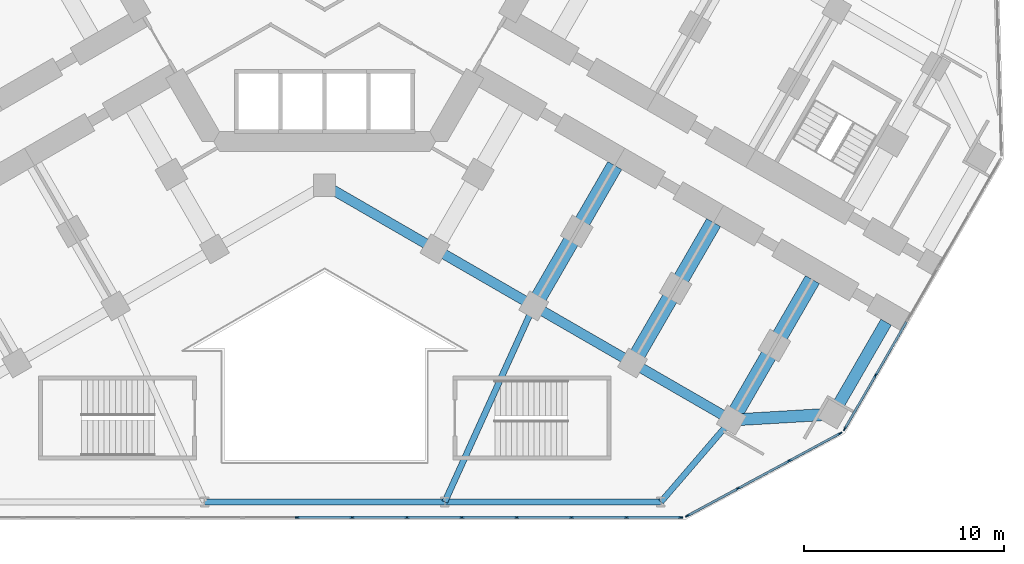
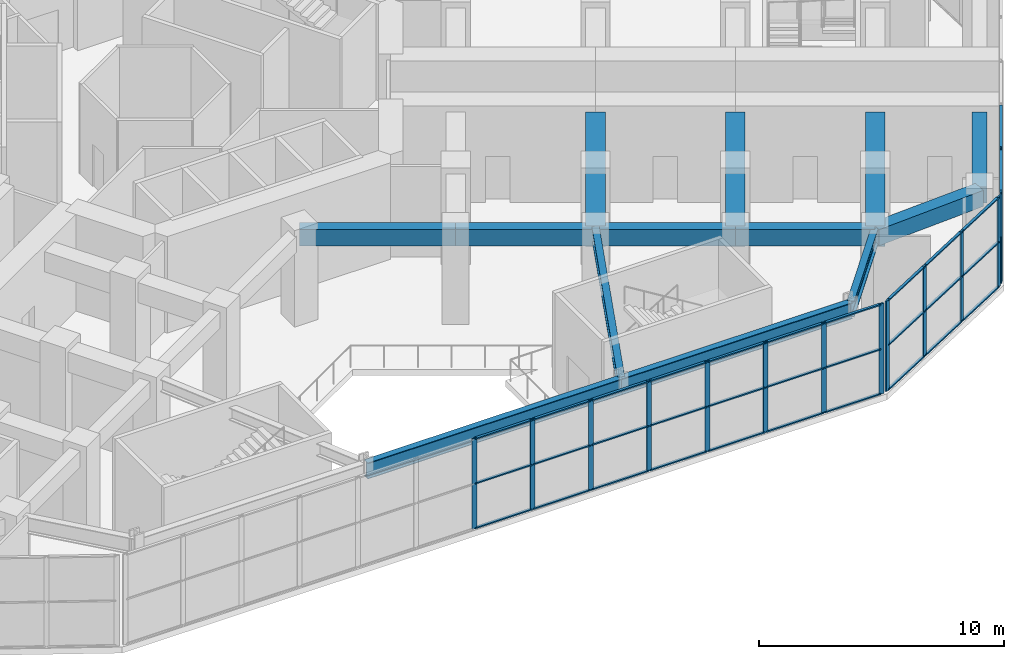
# One storey, part 5 of 22: 50 members, 13 beams, 3 elements without a shape of their own.
"""IFC4 building model written with IfcOpenShell, lengths in metres."""

from ifc_helpers import new_model, si_unit, direction, frame, origin, origin_2d, place, context, subcontext, project, spatial, rectangle, i_section, extrude, material, material_profile, profile_set, type_object, element, aggregate, save


model = new_model("IFC4")

# Units and contexts
model_context = context("Model", 3, precision=1e-05, world=origin(), true_north=direction((0.0, 1.0)))
body_context = subcontext(model_context, "Body", "Model", "MODEL_VIEW")
ifc_project = project(units=[si_unit("LENGTHUNIT", "METRE"), si_unit("AREAUNIT", "SQUARE_METRE"), si_unit("VOLUMEUNIT", "CUBIC_METRE"), si_unit("PLANEANGLEUNIT", "RADIAN"), si_unit("MASSUNIT", "GRAM", prefix="KILO")], contexts=[model_context])

# Site, building, storey
site_placement = place(None, origin())
site = spatial("IfcSite", under=ifc_project, at=site_placement, CompositionType="ELEMENT")
building_placement = place(site_placement, origin())
building = spatial("IfcBuilding", under=site, at=building_placement, Name="Kosmar Iwan School Tower", CompositionType="ELEMENT")
storey_placement = place(building_placement, frame((0.0, 0.0, 10.800048828125)))
storey = spatial("IfcBuildingStorey", under=building, at=storey_placement, Name="L02", CompositionType="ELEMENT", Elevation=10.800048828125)

# Beams
ifc_material_1 = material(Name="Steel S355", Category="steel")
ifc_material_profile_1 = material_profile(ifc_material_1, i_section(OverallWidth=0.300048828125, OverallDepth=0.800048828125, WebThickness=0.017578125, FlangeThickness=0.032958984375, FilletRadius=0.030029296875, at=origin_2d()), Name="HE 800 B")
ifc_profile_set_1 = profile_set([ifc_material_profile_1], Name="Steel S355")
beam_type_1 = type_object("IfcBeamType", Name="Infill edge beam HE 800 B", PredefinedType="BEAM", material=ifc_profile_set_1)
beam_1_placement = place(storey_placement, frame((20.31787109375, -23.508544921875, 4.099853515625), z_axis=(-0.651941989341, -0.758268845816, 0.0), x_axis=(0.758268845816, -0.651941989341, 0.0)))
element("IfcBeam", 1, at=beam_1_placement, inside=storey, type_object=beam_type_1, Name="Infill edge beam BC1", PredefinedType="BEAM", context=body_context, shape_type="SweptSolid", body=[
    extrude(i_section(OverallWidth=0.300048828125, OverallDepth=0.800048828125, WebThickness=0.017578125, FlangeThickness=0.032958984375, FilletRadius=0.030029296875, at=origin_2d()), origin(), (0.0, 0.0, 1.0), 5.39599609375),
])
beam_2_placement = place(storey_placement, frame((16.800048828125, -27.60009765625, 4.099853515625), z_axis=(-1.0, 0.0, 0.0), x_axis=(0.0, -1.0, 0.0)))
element("IfcBeam", 2, at=beam_2_placement, inside=storey, type_object=beam_type_1, Name="Infill edge beam BC2", PredefinedType="BEAM", context=body_context, shape_type="SweptSolid", body=[
    extrude(i_section(OverallWidth=0.300048828125, OverallDepth=0.800048828125, WebThickness=0.017578125, FlangeThickness=0.032958984375, FilletRadius=0.030029296875, at=origin_2d()), origin(), (0.0, 0.0, 1.0), 10.800048828125),
])
beam_3_placement = place(storey_placement, frame((6.0, -27.60009765625, 4.099853515625), z_axis=(-1.0, 0.0, 0.0), x_axis=(0.0, -1.0, 0.0)))
element("IfcBeam", 3, at=beam_3_placement, inside=storey, type_object=beam_type_1, Name="Infill edge beam BC3", PredefinedType="BEAM", context=body_context, shape_type="SweptSolid", body=[
    extrude(i_section(OverallWidth=0.300048828125, OverallDepth=0.800048828125, WebThickness=0.017578125, FlangeThickness=0.032958984375, FilletRadius=0.030029296875, at=origin_2d()), origin(), (0.0, 0.0, 1.0), 12.0),
])
ifc_material_2 = material(Name="Steel S355", Category="steel")
ifc_material_profile_2 = material_profile(ifc_material_2, i_section(OverallWidth=0.304931640625, OverallDepth=0.6201171875, WebThickness=0.02099609375, FlangeThickness=0.0400390625, FilletRadius=0.027099609375, at=origin_2d()), Name="HE 600 M")
ifc_profile_set_2 = profile_set([ifc_material_profile_2], Name="Steel S355")
beam_type_2 = type_object("IfcBeamType", Name="Infill girder HE 600 M", PredefinedType="BEAM", material=ifc_profile_set_2)
beam_4_placement = place(storey_placement, frame((6.0, -27.60009765625, 4.18994140625), z_axis=(0.413361578077, 0.910566969404, 0.0), x_axis=(-0.910566969404, 0.413361578077, 0.0)))
element("IfcBeam", 4, at=beam_4_placement, inside=storey, type_object=beam_type_2, Name="Infill girder BC2", PredefinedType="BEAM", context=body_context, shape_type="SweptSolid", body=[
    extrude(i_section(OverallWidth=0.304931640625, OverallDepth=0.6201171875, WebThickness=0.02099609375, FlangeThickness=0.0400390625, FilletRadius=0.027099609375, at=origin_2d()), origin(), (0.0, 0.0, 1.0), 10.75341796875),
])

# Curtain wall, members
ifc_material_3 = material(Name="Dark glass in black aluminium frame", Category="aluminium")
curtain_wall_type_1 = type_object("IfcCurtainWallType", Name="Podium curtain wall", PredefinedType="USERDEFINED", material=ifc_material_3)
curtain_wall_1_placement = place(storey_placement, origin())
curtain_wall_1 = element("IfcCurtainWall", 5, at=curtain_wall_1_placement, inside=storey, type_object=curtain_wall_type_1, Name="Curtain wall L02-F00", ObjectType="STICK CURTAIN WALL", PredefinedType="USERDEFINED")
ifc_material_4 = material(Name="Black anodised aluminium", Category="aluminium")
ifc_material_profile_3 = material_profile(ifc_material_4, rectangle(XDim=0.06494140625, YDim=0.219970703125, at=origin_2d()), Name="MULLION 65x220")
ifc_profile_set_3 = profile_set([ifc_material_profile_3], Name="Black anodised aluminium")
member_type_1 = type_object("IfcMemberType", Name="Podium mullion 65x220", PredefinedType="MULLION", material=ifc_profile_set_3)
member_1_placement = place(storey_placement, frame((-1.37060546875, -28.375, 0.0), z_axis=(0.0, 0.0, 1.0), x_axis=(0.0, 1.0, 0.0)))
member_1 = element("IfcMember", 6, at=member_1_placement, type_object=member_type_1, Name="CW3 mullion 7", PredefinedType="MULLION", context=body_context, shape_type="SweptSolid", body=[
    extrude(rectangle(XDim=0.06494140625, YDim=0.219970703125, at=origin_2d()), origin(), (0.0, 0.0, 1.0), 4.5),
])
member_2_placement = place(storey_placement, frame((1.37060546875, -28.375, 0.0), z_axis=(0.0, 0.0, 1.0), x_axis=(0.0, 1.0, 0.0)))
member_2 = element("IfcMember", 7, at=member_2_placement, type_object=member_type_1, Name="CW3 mullion 8", PredefinedType="MULLION", context=body_context, shape_type="SweptSolid", body=[
    extrude(rectangle(XDim=0.06494140625, YDim=0.219970703125, at=origin_2d()), origin(), (0.0, 0.0, 1.0), 4.5),
])
member_3_placement = place(storey_placement, frame((4.112060546875, -28.375, 0.0), z_axis=(0.0, 0.0, 1.0), x_axis=(0.0, 1.0, 0.0)))
member_3 = element("IfcMember", 8, at=member_3_placement, type_object=member_type_1, Name="CW3 mullion 9", PredefinedType="MULLION", context=body_context, shape_type="SweptSolid", body=[
    extrude(rectangle(XDim=0.06494140625, YDim=0.219970703125, at=origin_2d()), origin(), (0.0, 0.0, 1.0), 4.5),
])
member_4_placement = place(storey_placement, frame((6.853271484375, -28.375, 0.0), z_axis=(0.0, 0.0, 1.0), x_axis=(0.0, 1.0, 0.0)))
member_4 = element("IfcMember", 9, at=member_4_placement, type_object=member_type_1, Name="CW3 mullion 10", PredefinedType="MULLION", context=body_context, shape_type="SweptSolid", body=[
    extrude(rectangle(XDim=0.06494140625, YDim=0.219970703125, at=origin_2d()), origin(), (0.0, 0.0, 1.0), 4.5),
])
member_5_placement = place(storey_placement, frame((9.594482421875, -28.375, 0.0), z_axis=(0.0, 0.0, 1.0), x_axis=(0.0, 1.0, 0.0)))
member_5 = element("IfcMember", 10, at=member_5_placement, type_object=member_type_1, Name="CW3 mullion 11", PredefinedType="MULLION", context=body_context, shape_type="SweptSolid", body=[
    extrude(rectangle(XDim=0.06494140625, YDim=0.219970703125, at=origin_2d()), origin(), (0.0, 0.0, 1.0), 4.5),
])
member_6_placement = place(storey_placement, frame((12.3359375, -28.375, 0.0), z_axis=(0.0, 0.0, 1.0), x_axis=(0.0, 1.0, 0.0)))
member_6 = element("IfcMember", 11, at=member_6_placement, type_object=member_type_1, Name="CW3 mullion 12", PredefinedType="MULLION", context=body_context, shape_type="SweptSolid", body=[
    extrude(rectangle(XDim=0.06494140625, YDim=0.219970703125, at=origin_2d()), origin(), (0.0, 0.0, 1.0), 4.5),
])
member_7_placement = place(storey_placement, frame((15.0771484375, -28.375, 0.0), z_axis=(0.0, 0.0, 1.0), x_axis=(0.0, 1.0, 0.0)))
member_7 = element("IfcMember", 12, at=member_7_placement, type_object=member_type_1, Name="CW3 mullion 13", PredefinedType="MULLION", context=body_context, shape_type="SweptSolid", body=[
    extrude(rectangle(XDim=0.06494140625, YDim=0.219970703125, at=origin_2d()), origin(), (0.0, 0.0, 1.0), 4.5),
])
member_8_placement = place(storey_placement, frame((17.785888671875, -28.375, 0.0), z_axis=(0.0, 0.0, 1.0), x_axis=(0.0, 1.0, 0.0)))
member_8 = element("IfcMember", 13, at=member_8_placement, type_object=member_type_1, Name="CW3 mullion 14", PredefinedType="MULLION", context=body_context, shape_type="SweptSolid", body=[
    extrude(rectangle(XDim=0.06494140625, YDim=0.219970703125, at=origin_2d()), origin(), (0.0, 0.0, 1.0), 4.5),
])

curtain_wall_2_placement = place(storey_placement, origin())
curtain_wall_2 = element("IfcCurtainWall", 14, at=curtain_wall_2_placement, inside=storey, type_object=curtain_wall_type_1, Name="Curtain wall L02-F01", ObjectType="STICK CURTAIN WALL", PredefinedType="USERDEFINED")
member_9_placement = place(storey_placement, frame((18.12890625, -28.288330078125, 0.0), z_axis=(0.0, 0.0, 1.0), x_axis=(-0.475215410051, 0.879869486941, 0.0)))
member_9 = element("IfcMember", 15, at=member_9_placement, type_object=member_type_1, Name="CW3 mullion 1", PredefinedType="MULLION", context=body_context, shape_type="SweptSolid", body=[
    extrude(rectangle(XDim=0.06494140625, YDim=0.219970703125, at=origin_2d()), origin(), (0.0, 0.0, 1.0), 4.5),
])
member_10_placement = place(storey_placement, frame((20.656005859375, -26.923583984375, 0.0), z_axis=(0.0, 0.0, 1.0), x_axis=(-0.475215410051, 0.879869486941, 0.0)))
member_10 = element("IfcMember", 16, at=member_10_placement, type_object=member_type_1, Name="CW3 mullion 2", PredefinedType="MULLION", context=body_context, shape_type="SweptSolid", body=[
    extrude(rectangle(XDim=0.06494140625, YDim=0.219970703125, at=origin_2d()), origin(), (0.0, 0.0, 1.0), 4.5),
])
member_11_placement = place(storey_placement, frame((23.21142578125, -25.543212890625, 0.0), z_axis=(0.0, 0.0, 1.0), x_axis=(-0.475215410051, 0.879869486941, 0.0)))
member_11 = element("IfcMember", 17, at=member_11_placement, type_object=member_type_1, Name="CW3 mullion 3", PredefinedType="MULLION", context=body_context, shape_type="SweptSolid", body=[
    extrude(rectangle(XDim=0.06494140625, YDim=0.219970703125, at=origin_2d()), origin(), (0.0, 0.0, 1.0), 4.5),
])
member_12_placement = place(storey_placement, frame((25.73828125, -24.178466796875, 0.0), z_axis=(0.0, 0.0, 1.0), x_axis=(-0.475215410051, 0.879869486941, 0.0)))
member_12 = element("IfcMember", 18, at=member_12_placement, type_object=member_type_1, Name="CW3 mullion 4", PredefinedType="MULLION", context=body_context, shape_type="SweptSolid", body=[
    extrude(rectangle(XDim=0.06494140625, YDim=0.219970703125, at=origin_2d()), origin(), (0.0, 0.0, 1.0), 4.5),
])

ifc_material_5 = material(Name="Dark glass in black aluminium frame", Category="aluminium")
curtain_wall_type_2 = type_object("IfcCurtainWallType", Name="Tower curtain wall dark glass", PredefinedType="USERDEFINED", material=ifc_material_5)
curtain_wall_3_placement = place(storey_placement, origin())
curtain_wall_3 = element("IfcCurtainWall", 19, at=curtain_wall_3_placement, inside=storey, type_object=curtain_wall_type_2, Name="Curtain wall L02-F02", ObjectType="UNITISED CURTAIN WALL", PredefinedType="USERDEFINED")
member_13_placement = place(storey_placement, frame((25.990234375, -23.93359375, 0.0), z_axis=(0.0, 0.0, 1.0), x_axis=(-0.866025395669, 0.500000014057, 0.0)))
member_13 = element("IfcMember", 20, at=member_13_placement, type_object=member_type_1, Name="CW1 mullion 1", PredefinedType="MULLION", context=body_context, shape_type="SweptSolid", body=[
    extrude(rectangle(XDim=0.06494140625, YDim=0.219970703125, at=origin_2d()), origin(), (0.0, 0.0, 1.0), 4.5),
])
member_14_placement = place(storey_placement, frame((27.52685546875, -21.272216796875, 0.0), z_axis=(0.0, 0.0, 1.0), x_axis=(-0.866025395669, 0.500000014057, 0.0)))
member_14 = element("IfcMember", 21, at=member_14_placement, type_object=member_type_1, Name="CW1 mullion 2", PredefinedType="MULLION", context=body_context, shape_type="SweptSolid", body=[
    extrude(rectangle(XDim=0.06494140625, YDim=0.219970703125, at=origin_2d()), origin(), (0.0, 0.0, 1.0), 4.5),
])

# Beams
ifc_material_6 = material(Name="Concrete C50/60", Category="concrete")
ifc_material_profile_4 = material_profile(ifc_material_6, rectangle(XDim=0.5, YDim=0.800048828125, at=origin_2d()), Name="RC 500x800")
ifc_profile_set_4 = profile_set([ifc_material_profile_4], Name="Concrete C50/60")
beam_type_3 = type_object("IfcBeamType", Name="RC edge beam 500x800", PredefinedType="BEAM", material=ifc_profile_set_4)
beam_5_placement = place(storey_placement, frame((0.0, -11.77783203125, 4.099853515625), z_axis=(0.866014293216, -0.500019243575, 0.0), x_axis=(0.500019243575, 0.866014293216, 0.0)))
element("IfcBeam", 22, at=beam_5_placement, inside=storey, type_object=beam_type_3, Name="Edge beam CR1", PredefinedType="BEAM", context=body_context, shape_type="SweptSolid", body=[
    extrude(rectangle(XDim=0.5, YDim=0.800048828125, at=origin_2d()), origin(), (0.0, 0.0, 1.0), 6.361083984375),
])
beam_6_placement = place(storey_placement, frame((5.5087890625, -14.95849609375, 4.099853515625), z_axis=(0.866033658841, -0.49998570155, 0.0), x_axis=(0.49998570155, 0.866033658841, 0.0)))
element("IfcBeam", 23, at=beam_6_placement, inside=storey, type_object=beam_type_3, Name="Edge beam CR2", PredefinedType="BEAM", context=body_context, shape_type="SweptSolid", body=[
    extrude(rectangle(XDim=0.5, YDim=0.800048828125, at=origin_2d()), origin(), (0.0, 0.0, 1.0), 5.699951171875),
])
beam_7_placement = place(storey_placement, frame((10.445068359375, -17.808349609375, 4.099853515625), z_axis=(0.866025820012, -0.499999279071, 0.0), x_axis=(0.499999279071, 0.866025820012, 0.0)))
element("IfcBeam", 24, at=beam_7_placement, inside=storey, type_object=beam_type_3, Name="Edge beam CR3", PredefinedType="BEAM", context=body_context, shape_type="SweptSolid", body=[
    extrude(rectangle(XDim=0.5, YDim=0.800048828125, at=origin_2d()), origin(), (0.0, 0.0, 1.0), 5.7001953125),
])
beam_8_placement = place(storey_placement, frame((15.381591796875, -20.658447265625, 4.099853515625), z_axis=(0.866015111908, -0.50001782563, 0.0), x_axis=(0.50001782563, 0.866015111908, 0.0)))
element("IfcBeam", 25, at=beam_8_placement, inside=storey, type_object=beam_type_3, Name="Edge beam CR4", PredefinedType="BEAM", context=body_context, shape_type="SweptSolid", body=[
    extrude(rectangle(XDim=0.5, YDim=0.800048828125, at=origin_2d()), origin(), (0.0, 0.0, 1.0), 5.699951171875),
])
ifc_material_7 = material(Name="Concrete C50/60", Category="concrete")
ifc_material_profile_5 = material_profile(ifc_material_7, rectangle(XDim=0.60009765625, YDim=0.800048828125, at=origin_2d()), Name="RC 600x800")
ifc_profile_set_5 = profile_set([ifc_material_profile_5], Name="Concrete C50/60")
beam_type_4 = type_object("IfcBeamType", Name="RC tip beam 600x800", PredefinedType="BEAM", material=ifc_profile_set_5)
beam_9_placement = place(storey_placement, frame((20.31787109375, -23.508544921875, 4.099853515625), z_axis=(0.998260616478, 0.058955420358, 0.0), x_axis=(-0.058955420358, 0.998260616478, 0.0)))
element("IfcBeam", 26, at=beam_9_placement, inside=storey, type_object=beam_type_4, Name="Tip beam CR", PredefinedType="BEAM", context=body_context, shape_type="SweptSolid", body=[
    extrude(rectangle(XDim=0.60009765625, YDim=0.800048828125, at=origin_2d()), origin(), (0.0, 0.0, 1.0), 5.08935546875),
])
beam_10_placement = place(storey_placement, frame((25.3984375, -23.20849609375, 4.099853515625), z_axis=(0.499993606316, 0.866029095148, 0.0), x_axis=(-0.866029095148, 0.499993606316, 0.0)))
element("IfcBeam", 27, at=beam_10_placement, inside=storey, type_object=beam_type_4, Name="Tip beam CR to corridor wall", PredefinedType="BEAM", context=body_context, shape_type="SweptSolid", body=[
    extrude(rectangle(XDim=0.60009765625, YDim=0.800048828125, at=origin_2d()), origin(), (0.0, 0.0, 1.0), 5.2998046875),
])
ifc_material_8 = material(Name="Concrete C50/60", Category="concrete")
ifc_material_profile_6 = material_profile(ifc_material_8, rectangle(XDim=0.800048828125, YDim=1.0, at=origin_2d()), Name="RC 800x1000")
ifc_profile_set_6 = profile_set([ifc_material_profile_6], Name="Concrete C50/60")
beam_type_5 = type_object("IfcBeamType", Name="RC transverse beam 800x1000", PredefinedType="BEAM", material=ifc_profile_set_6)
beam_11_placement = place(storey_placement, frame((10.445068359375, -17.808349609375, 4.0), z_axis=(0.500012932018, 0.866017937352, 0.0), x_axis=(-0.866017937352, 0.500012932018, 0.0)))
element("IfcBeam", 28, at=beam_11_placement, inside=storey, type_object=beam_type_5, Name="Transverse beam CR2", PredefinedType="BEAM", context=body_context, shape_type="SweptSolid", body=[
    extrude(rectangle(XDim=0.800048828125, YDim=1.0, at=origin_2d()), origin(), (0.0, 0.0, 1.0), 8.099853515625),
])
for number, where, z_axis, x_axis, name in (
    (29, (15.381591796875, -20.658447265625, 4.0), (0.499977274689, 0.866038523851, 0.0), (-0.866038523851, 0.499977274689, 0.0), "Transverse beam CR3"),
    (30, (20.31787109375, -23.508544921875, 4.0), (0.499999880539, 0.866025472755, 0.0), (-0.866025472755, 0.499999880539, 0.0), "Transverse beam CR4"),
):
    element("IfcBeam", number, at=place(storey_placement, frame(where, z_axis=z_axis, x_axis=x_axis)), inside=storey, type_object=beam_type_5, Name=name, PredefinedType="BEAM", context=body_context, shape_type="SweptSolid", body=[
        extrude(rectangle(XDim=0.800048828125, YDim=1.0, at=origin_2d()), origin(), (0.0, 0.0, 1.0), 8.10009765625),
    ])

# Member
ifc_material_9 = material(Name="Black anodised aluminium", Category="aluminium")
ifc_material_profile_7 = material_profile(ifc_material_9, rectangle(XDim=0.1201171875, YDim=0.06005859375, at=origin_2d()), Name="TRANSOM 60x120")
ifc_profile_set_7 = profile_set([ifc_material_profile_7], Name="Black anodised aluminium")
member_type_2 = type_object("IfcMemberType", Name="Transom 60x120", PredefinedType="USERDEFINED", material=ifc_profile_set_7)
member_15_placement = place(storey_placement, frame((-1.338134765625, -28.375, 0.030029296875), z_axis=(1.0, 0.0, 0.0), x_axis=(0.0, 1.0, 0.0)))
member_15 = element("IfcMember", 31, at=member_15_placement, type_object=member_type_2, Name="CW3 transom 7.1", ObjectType="TRANSOM", PredefinedType="USERDEFINED", context=body_context, shape_type="SweptSolid", body=[
    extrude(rectangle(XDim=0.1201171875, YDim=0.06005859375, at=origin_2d()), origin(), (0.0, 0.0, 1.0), 2.67626953125),
])

member_16_placement = place(storey_placement, frame((-1.338134765625, -28.375, 2.25), z_axis=(1.0, 0.0, 0.0), x_axis=(0.0, 1.0, 0.0)))
member_16 = element("IfcMember", 32, at=member_16_placement, type_object=member_type_2, Name="CW3 transom 7.2", ObjectType="TRANSOM", PredefinedType="USERDEFINED", context=body_context, shape_type="SweptSolid", body=[
    extrude(rectangle(XDim=0.1201171875, YDim=0.06005859375, at=origin_2d()), origin(), (0.0, 0.0, 1.0), 2.67626953125),
])

member_17_placement = place(storey_placement, frame((-1.338134765625, -28.375, 4.469970703125), z_axis=(1.0, 0.0, 0.0), x_axis=(0.0, 1.0, 0.0)))
member_17 = element("IfcMember", 33, at=member_17_placement, type_object=member_type_2, Name="CW3 transom 7.3", ObjectType="TRANSOM", PredefinedType="USERDEFINED", context=body_context, shape_type="SweptSolid", body=[
    extrude(rectangle(XDim=0.1201171875, YDim=0.06005859375, at=origin_2d()), origin(), (0.0, 0.0, 1.0), 2.67626953125),
])

member_18_placement = place(storey_placement, frame((1.403076171875, -28.375, 0.030029296875), z_axis=(1.0, 0.0, 0.0), x_axis=(0.0, 1.0, 0.0)))
member_18 = element("IfcMember", 34, at=member_18_placement, type_object=member_type_2, Name="CW3 transom 8.1", ObjectType="TRANSOM", PredefinedType="USERDEFINED", context=body_context, shape_type="SweptSolid", body=[
    extrude(rectangle(XDim=0.1201171875, YDim=0.06005859375, at=origin_2d()), origin(), (0.0, 0.0, 1.0), 2.67626953125),
])

member_19_placement = place(storey_placement, frame((1.403076171875, -28.375, 2.25), z_axis=(1.0, 0.0, 0.0), x_axis=(0.0, 1.0, 0.0)))
member_19 = element("IfcMember", 35, at=member_19_placement, type_object=member_type_2, Name="CW3 transom 8.2", ObjectType="TRANSOM", PredefinedType="USERDEFINED", context=body_context, shape_type="SweptSolid", body=[
    extrude(rectangle(XDim=0.1201171875, YDim=0.06005859375, at=origin_2d()), origin(), (0.0, 0.0, 1.0), 2.67626953125),
])

member_20_placement = place(storey_placement, frame((1.403076171875, -28.375, 4.469970703125), z_axis=(1.0, 0.0, 0.0), x_axis=(0.0, 1.0, 0.0)))
member_20 = element("IfcMember", 36, at=member_20_placement, type_object=member_type_2, Name="CW3 transom 8.3", ObjectType="TRANSOM", PredefinedType="USERDEFINED", context=body_context, shape_type="SweptSolid", body=[
    extrude(rectangle(XDim=0.1201171875, YDim=0.06005859375, at=origin_2d()), origin(), (0.0, 0.0, 1.0), 2.67626953125),
])

member_21_placement = place(storey_placement, frame((4.14453125, -28.375, 0.030029296875), z_axis=(1.0, 0.0, 0.0), x_axis=(0.0, 1.0, 0.0)))
member_21 = element("IfcMember", 37, at=member_21_placement, type_object=member_type_2, Name="CW3 transom 9.1", ObjectType="TRANSOM", PredefinedType="USERDEFINED", context=body_context, shape_type="SweptSolid", body=[
    extrude(rectangle(XDim=0.1201171875, YDim=0.06005859375, at=origin_2d()), origin(), (0.0, 0.0, 1.0), 2.67626953125),
])

member_22_placement = place(storey_placement, frame((4.14453125, -28.375, 2.25), z_axis=(1.0, 0.0, 0.0), x_axis=(0.0, 1.0, 0.0)))
member_22 = element("IfcMember", 38, at=member_22_placement, type_object=member_type_2, Name="CW3 transom 9.2", ObjectType="TRANSOM", PredefinedType="USERDEFINED", context=body_context, shape_type="SweptSolid", body=[
    extrude(rectangle(XDim=0.1201171875, YDim=0.06005859375, at=origin_2d()), origin(), (0.0, 0.0, 1.0), 2.67626953125),
])

member_23_placement = place(storey_placement, frame((4.14453125, -28.375, 4.469970703125), z_axis=(1.0, 0.0, 0.0), x_axis=(0.0, 1.0, 0.0)))
member_23 = element("IfcMember", 39, at=member_23_placement, type_object=member_type_2, Name="CW3 transom 9.3", ObjectType="TRANSOM", PredefinedType="USERDEFINED", context=body_context, shape_type="SweptSolid", body=[
    extrude(rectangle(XDim=0.1201171875, YDim=0.06005859375, at=origin_2d()), origin(), (0.0, 0.0, 1.0), 2.67626953125),
])

member_24_placement = place(storey_placement, frame((6.8857421875, -28.375, 0.030029296875), z_axis=(1.0, 0.0, 0.0), x_axis=(0.0, 1.0, 0.0)))
member_24 = element("IfcMember", 40, at=member_24_placement, type_object=member_type_2, Name="CW3 transom 10.1", ObjectType="TRANSOM", PredefinedType="USERDEFINED", context=body_context, shape_type="SweptSolid", body=[
    extrude(rectangle(XDim=0.1201171875, YDim=0.06005859375, at=origin_2d()), origin(), (0.0, 0.0, 1.0), 2.67626953125),
])

member_25_placement = place(storey_placement, frame((6.8857421875, -28.375, 2.25), z_axis=(1.0, 0.0, 0.0), x_axis=(0.0, 1.0, 0.0)))
member_25 = element("IfcMember", 41, at=member_25_placement, type_object=member_type_2, Name="CW3 transom 10.2", ObjectType="TRANSOM", PredefinedType="USERDEFINED", context=body_context, shape_type="SweptSolid", body=[
    extrude(rectangle(XDim=0.1201171875, YDim=0.06005859375, at=origin_2d()), origin(), (0.0, 0.0, 1.0), 2.67626953125),
])

member_26_placement = place(storey_placement, frame((6.8857421875, -28.375, 4.469970703125), z_axis=(1.0, 0.0, 0.0), x_axis=(0.0, 1.0, 0.0)))
member_26 = element("IfcMember", 42, at=member_26_placement, type_object=member_type_2, Name="CW3 transom 10.3", ObjectType="TRANSOM", PredefinedType="USERDEFINED", context=body_context, shape_type="SweptSolid", body=[
    extrude(rectangle(XDim=0.1201171875, YDim=0.06005859375, at=origin_2d()), origin(), (0.0, 0.0, 1.0), 2.67626953125),
])

member_27_placement = place(storey_placement, frame((9.626953125, -28.375, 0.030029296875), z_axis=(1.0, 0.0, 0.0), x_axis=(0.0, 1.0, 0.0)))
member_27 = element("IfcMember", 43, at=member_27_placement, type_object=member_type_2, Name="CW3 transom 11.1", ObjectType="TRANSOM", PredefinedType="USERDEFINED", context=body_context, shape_type="SweptSolid", body=[
    extrude(rectangle(XDim=0.1201171875, YDim=0.06005859375, at=origin_2d()), origin(), (0.0, 0.0, 1.0), 2.67626953125),
])

member_28_placement = place(storey_placement, frame((9.626953125, -28.375, 2.25), z_axis=(1.0, 0.0, 0.0), x_axis=(0.0, 1.0, 0.0)))
member_28 = element("IfcMember", 44, at=member_28_placement, type_object=member_type_2, Name="CW3 transom 11.2", ObjectType="TRANSOM", PredefinedType="USERDEFINED", context=body_context, shape_type="SweptSolid", body=[
    extrude(rectangle(XDim=0.1201171875, YDim=0.06005859375, at=origin_2d()), origin(), (0.0, 0.0, 1.0), 2.67626953125),
])

member_29_placement = place(storey_placement, frame((9.626953125, -28.375, 4.469970703125), z_axis=(1.0, 0.0, 0.0), x_axis=(0.0, 1.0, 0.0)))
member_29 = element("IfcMember", 45, at=member_29_placement, type_object=member_type_2, Name="CW3 transom 11.3", ObjectType="TRANSOM", PredefinedType="USERDEFINED", context=body_context, shape_type="SweptSolid", body=[
    extrude(rectangle(XDim=0.1201171875, YDim=0.06005859375, at=origin_2d()), origin(), (0.0, 0.0, 1.0), 2.67626953125),
])

member_30_placement = place(storey_placement, frame((12.368408203125, -28.375, 0.030029296875), z_axis=(1.0, 0.0, 0.0), x_axis=(0.0, 1.0, 0.0)))
member_30 = element("IfcMember", 46, at=member_30_placement, type_object=member_type_2, Name="CW3 transom 12.1", ObjectType="TRANSOM", PredefinedType="USERDEFINED", context=body_context, shape_type="SweptSolid", body=[
    extrude(rectangle(XDim=0.1201171875, YDim=0.06005859375, at=origin_2d()), origin(), (0.0, 0.0, 1.0), 2.67626953125),
])

member_31_placement = place(storey_placement, frame((12.368408203125, -28.375, 2.25), z_axis=(1.0, 0.0, 0.0), x_axis=(0.0, 1.0, 0.0)))
member_31 = element("IfcMember", 47, at=member_31_placement, type_object=member_type_2, Name="CW3 transom 12.2", ObjectType="TRANSOM", PredefinedType="USERDEFINED", context=body_context, shape_type="SweptSolid", body=[
    extrude(rectangle(XDim=0.1201171875, YDim=0.06005859375, at=origin_2d()), origin(), (0.0, 0.0, 1.0), 2.67626953125),
])

member_32_placement = place(storey_placement, frame((12.368408203125, -28.375, 4.469970703125), z_axis=(1.0, 0.0, 0.0), x_axis=(0.0, 1.0, 0.0)))
member_32 = element("IfcMember", 48, at=member_32_placement, type_object=member_type_2, Name="CW3 transom 12.3", ObjectType="TRANSOM", PredefinedType="USERDEFINED", context=body_context, shape_type="SweptSolid", body=[
    extrude(rectangle(XDim=0.1201171875, YDim=0.06005859375, at=origin_2d()), origin(), (0.0, 0.0, 1.0), 2.67626953125),
])

member_33_placement = place(storey_placement, frame((15.109619140625, -28.375, 0.030029296875), z_axis=(1.0, 0.0, 0.0), x_axis=(0.0, 1.0, 0.0)))
member_33 = element("IfcMember", 49, at=member_33_placement, type_object=member_type_2, Name="CW3 transom 13.1", ObjectType="TRANSOM", PredefinedType="USERDEFINED", context=body_context, shape_type="SweptSolid", body=[
    extrude(rectangle(XDim=0.1201171875, YDim=0.06005859375, at=origin_2d()), origin(), (0.0, 0.0, 1.0), 2.643798828125),
])

member_34_placement = place(storey_placement, frame((15.109619140625, -28.375, 2.25), z_axis=(1.0, 0.0, 0.0), x_axis=(0.0, 1.0, 0.0)))
member_34 = element("IfcMember", 50, at=member_34_placement, type_object=member_type_2, Name="CW3 transom 13.2", ObjectType="TRANSOM", PredefinedType="USERDEFINED", context=body_context, shape_type="SweptSolid", body=[
    extrude(rectangle(XDim=0.1201171875, YDim=0.06005859375, at=origin_2d()), origin(), (0.0, 0.0, 1.0), 2.643798828125),
])

member_35_placement = place(storey_placement, frame((15.109619140625, -28.375, 4.469970703125), z_axis=(1.0, 0.0, 0.0), x_axis=(0.0, 1.0, 0.0)))
member_35 = element("IfcMember", 51, at=member_35_placement, type_object=member_type_2, Name="CW3 transom 13.3", ObjectType="TRANSOM", PredefinedType="USERDEFINED", context=body_context, shape_type="SweptSolid", body=[
    extrude(rectangle(XDim=0.1201171875, YDim=0.06005859375, at=origin_2d()), origin(), (0.0, 0.0, 1.0), 2.643798828125),
])

aggregate(curtain_wall_1, [member_1, member_2, member_3, member_4, member_5, member_6, member_7, member_8, member_15, member_16, member_17, member_18, member_19, member_20, member_21, member_22, member_23, member_24, member_25, member_26, member_27, member_28, member_29, member_30, member_31, member_32, member_33, member_34, member_35])

member_36_placement = place(storey_placement, frame((18.157470703125, -28.27294921875, 0.030029296875), z_axis=(0.879855938213, 0.475240494899, 0.0), x_axis=(-0.475240494899, 0.879855938213, 0.0)))
member_36 = element("IfcMember", 52, at=member_36_placement, type_object=member_type_2, Name="CW3 transom 1.1", ObjectType="TRANSOM", PredefinedType="USERDEFINED", context=body_context, shape_type="SweptSolid", body=[
    extrude(rectangle(XDim=0.1201171875, YDim=0.06005859375, at=origin_2d()), origin(), (0.0, 0.0, 1.0), 2.806884765625),
])

member_37_placement = place(storey_placement, frame((18.157470703125, -28.27294921875, 2.25), z_axis=(0.879855938213, 0.475240494899, 0.0), x_axis=(-0.475240494899, 0.879855938213, 0.0)))
member_37 = element("IfcMember", 53, at=member_37_placement, type_object=member_type_2, Name="CW3 transom 1.2", ObjectType="TRANSOM", PredefinedType="USERDEFINED", context=body_context, shape_type="SweptSolid", body=[
    extrude(rectangle(XDim=0.1201171875, YDim=0.06005859375, at=origin_2d()), origin(), (0.0, 0.0, 1.0), 2.806884765625),
])

member_38_placement = place(storey_placement, frame((18.157470703125, -28.27294921875, 4.469970703125), z_axis=(0.879855938213, 0.475240494899, 0.0), x_axis=(-0.475240494899, 0.879855938213, 0.0)))
member_38 = element("IfcMember", 54, at=member_38_placement, type_object=member_type_2, Name="CW3 transom 1.3", ObjectType="TRANSOM", PredefinedType="USERDEFINED", context=body_context, shape_type="SweptSolid", body=[
    extrude(rectangle(XDim=0.1201171875, YDim=0.06005859375, at=origin_2d()), origin(), (0.0, 0.0, 1.0), 2.806884765625),
])

member_39_placement = place(storey_placement, frame((20.6845703125, -26.907958984375, 0.030029296875), z_axis=(0.879862975212, 0.475227466432, 0.0), x_axis=(-0.475227466432, 0.879862975212, 0.0)))
member_39 = element("IfcMember", 55, at=member_39_placement, type_object=member_type_2, Name="CW3 transom 2.1", ObjectType="TRANSOM", PredefinedType="USERDEFINED", context=body_context, shape_type="SweptSolid", body=[
    extrude(rectangle(XDim=0.1201171875, YDim=0.06005859375, at=origin_2d()), origin(), (0.0, 0.0, 1.0), 2.83935546875),
])

member_40_placement = place(storey_placement, frame((20.6845703125, -26.907958984375, 2.25), z_axis=(0.879862975212, 0.475227466432, 0.0), x_axis=(-0.475227466432, 0.879862975212, 0.0)))
member_40 = element("IfcMember", 56, at=member_40_placement, type_object=member_type_2, Name="CW3 transom 2.2", ObjectType="TRANSOM", PredefinedType="USERDEFINED", context=body_context, shape_type="SweptSolid", body=[
    extrude(rectangle(XDim=0.1201171875, YDim=0.06005859375, at=origin_2d()), origin(), (0.0, 0.0, 1.0), 2.83935546875),
])

member_41_placement = place(storey_placement, frame((20.6845703125, -26.907958984375, 4.469970703125), z_axis=(0.879862975212, 0.475227466432, 0.0), x_axis=(-0.475227466432, 0.879862975212, 0.0)))
member_41 = element("IfcMember", 57, at=member_41_placement, type_object=member_type_2, Name="CW3 transom 2.3", ObjectType="TRANSOM", PredefinedType="USERDEFINED", context=body_context, shape_type="SweptSolid", body=[
    extrude(rectangle(XDim=0.1201171875, YDim=0.06005859375, at=origin_2d()), origin(), (0.0, 0.0, 1.0), 2.83935546875),
])

member_42_placement = place(storey_placement, frame((23.239990234375, -25.52783203125, 0.030029296875), z_axis=(0.879855938213, 0.475240494899, 0.0), x_axis=(-0.475240494899, 0.879855938213, 0.0)))
member_42 = element("IfcMember", 58, at=member_42_placement, type_object=member_type_2, Name="CW3 transom 3.1", ObjectType="TRANSOM", PredefinedType="USERDEFINED", context=body_context, shape_type="SweptSolid", body=[
    extrude(rectangle(XDim=0.1201171875, YDim=0.06005859375, at=origin_2d()), origin(), (0.0, 0.0, 1.0), 2.806884765625),
])

member_43_placement = place(storey_placement, frame((23.239990234375, -25.52783203125, 2.25), z_axis=(0.879855938213, 0.475240494899, 0.0), x_axis=(-0.475240494899, 0.879855938213, 0.0)))
member_43 = element("IfcMember", 59, at=member_43_placement, type_object=member_type_2, Name="CW3 transom 3.2", ObjectType="TRANSOM", PredefinedType="USERDEFINED", context=body_context, shape_type="SweptSolid", body=[
    extrude(rectangle(XDim=0.1201171875, YDim=0.06005859375, at=origin_2d()), origin(), (0.0, 0.0, 1.0), 2.806884765625),
])

member_44_placement = place(storey_placement, frame((23.239990234375, -25.52783203125, 4.469970703125), z_axis=(0.879855938213, 0.475240494899, 0.0), x_axis=(-0.475240494899, 0.879855938213, 0.0)))
member_44 = element("IfcMember", 60, at=member_44_placement, type_object=member_type_2, Name="CW3 transom 3.3", ObjectType="TRANSOM", PredefinedType="USERDEFINED", context=body_context, shape_type="SweptSolid", body=[
    extrude(rectangle(XDim=0.1201171875, YDim=0.06005859375, at=origin_2d()), origin(), (0.0, 0.0, 1.0), 2.806884765625),
])

aggregate(curtain_wall_2, [member_9, member_10, member_11, member_12, member_36, member_37, member_38, member_39, member_40, member_41, member_42, member_43, member_44])

member_45_placement = place(storey_placement, frame((26.00634765625, -23.905517578125, 0.030029296875), z_axis=(0.500005799286, 0.866022055539, 0.0), x_axis=(-0.866022055539, 0.500005799286, 0.0)))
member_45 = element("IfcMember", 61, at=member_45_placement, type_object=member_type_2, Name="CW1 transom 1.1", ObjectType="TRANSOM", PredefinedType="USERDEFINED", context=body_context, shape_type="SweptSolid", body=[
    extrude(rectangle(XDim=0.1201171875, YDim=0.06005859375, at=origin_2d()), origin(), (0.0, 0.0, 1.0), 3.00830078125),
])

member_46_placement = place(storey_placement, frame((26.00634765625, -23.905517578125, 2.25), z_axis=(0.500005799286, 0.866022055539, 0.0), x_axis=(-0.866022055539, 0.500005799286, 0.0)))
member_46 = element("IfcMember", 62, at=member_46_placement, type_object=member_type_2, Name="CW1 transom 1.2", ObjectType="TRANSOM", PredefinedType="USERDEFINED", context=body_context, shape_type="SweptSolid", body=[
    extrude(rectangle(XDim=0.1201171875, YDim=0.06005859375, at=origin_2d()), origin(), (0.0, 0.0, 1.0), 3.00830078125),
])

member_47_placement = place(storey_placement, frame((26.00634765625, -23.905517578125, 4.469970703125), z_axis=(0.500005799286, 0.866022055539, 0.0), x_axis=(-0.866022055539, 0.500005799286, 0.0)))
member_47 = element("IfcMember", 63, at=member_47_placement, type_object=member_type_2, Name="CW1 transom 1.3", ObjectType="TRANSOM", PredefinedType="USERDEFINED", context=body_context, shape_type="SweptSolid", body=[
    extrude(rectangle(XDim=0.1201171875, YDim=0.06005859375, at=origin_2d()), origin(), (0.0, 0.0, 1.0), 3.00830078125),
])

member_48_placement = place(storey_placement, frame((27.543212890625, -21.243896484375, 0.030029296875), z_axis=(0.49998193385, 0.86603583403, 0.0), x_axis=(-0.86603583403, 0.49998193385, 0.0)))
member_48 = element("IfcMember", 64, at=member_48_placement, type_object=member_type_2, Name="CW1 transom 2.1", ObjectType="TRANSOM", PredefinedType="USERDEFINED", context=body_context, shape_type="SweptSolid", body=[
    extrude(rectangle(XDim=0.1201171875, YDim=0.06005859375, at=origin_2d()), origin(), (0.0, 0.0, 1.0), 3.04052734375),
])

member_49_placement = place(storey_placement, frame((27.543212890625, -21.243896484375, 2.25), z_axis=(0.49998193385, 0.86603583403, 0.0), x_axis=(-0.86603583403, 0.49998193385, 0.0)))
member_49 = element("IfcMember", 65, at=member_49_placement, type_object=member_type_2, Name="CW1 transom 2.2", ObjectType="TRANSOM", PredefinedType="USERDEFINED", context=body_context, shape_type="SweptSolid", body=[
    extrude(rectangle(XDim=0.1201171875, YDim=0.06005859375, at=origin_2d()), origin(), (0.0, 0.0, 1.0), 3.04052734375),
])

member_50_placement = place(storey_placement, frame((27.543212890625, -21.243896484375, 4.469970703125), z_axis=(0.49998193385, 0.86603583403, 0.0), x_axis=(-0.86603583403, 0.49998193385, 0.0)))
member_50 = element("IfcMember", 66, at=member_50_placement, type_object=member_type_2, Name="CW1 transom 2.3", ObjectType="TRANSOM", PredefinedType="USERDEFINED", context=body_context, shape_type="SweptSolid", body=[
    extrude(rectangle(XDim=0.1201171875, YDim=0.06005859375, at=origin_2d()), origin(), (0.0, 0.0, 1.0), 3.04052734375),
])

aggregate(curtain_wall_3, [member_13, member_14, member_45, member_46, member_47, member_48, member_49, member_50])

save(model, "model.ifc")
